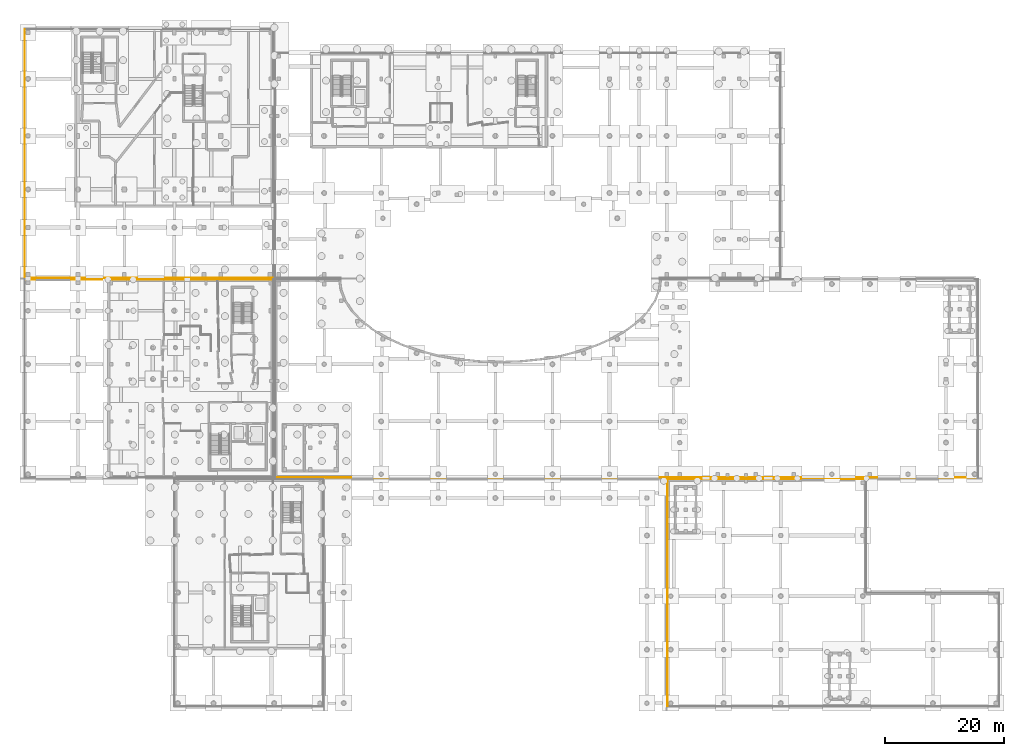
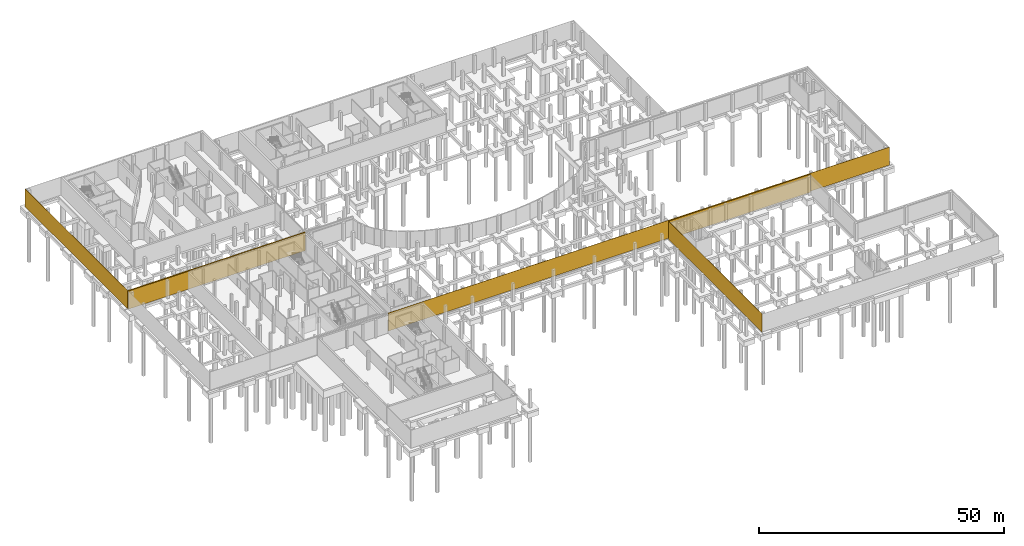
# One storey, part 31 of 40: 6 coverings.
"""IFC4 building model written with IfcOpenShell, lengths in metres."""

from ifc_helpers import new_model, si_unit, direction, frame, origin, origin_2d, place, context, subcontext, project, spatial, rectangle, extrude, material, layer, layer_set, type_object, element, save


model = new_model("IFC4")

# Units and contexts
model_context = context("Model", 3, precision=1e-05, world=origin(), true_north=direction((0.0, 1.0)))
body_context = subcontext(model_context, "Body", "Model", "MODEL_VIEW")
ifc_project = project(units=[si_unit("LENGTHUNIT", "METRE"), si_unit("AREAUNIT", "SQUARE_METRE"), si_unit("VOLUMEUNIT", "CUBIC_METRE"), si_unit("PLANEANGLEUNIT", "RADIAN"), si_unit("MASSUNIT", "GRAM", prefix="KILO")], contexts=[model_context])

# Site, building, storey
site_placement = place(None, origin())
site = spatial("IfcSite", under=ifc_project, at=site_placement, CompositionType="ELEMENT")
building_placement = place(site_placement, origin())
building = spatial("IfcBuilding", under=site, at=building_placement, Name="Mzevani Central Library", CompositionType="ELEMENT")
storey_placement = place(building_placement, frame((0.0, 0.0, -4.5)))
storey = spatial("IfcBuildingStorey", under=building, at=storey_placement, Name="B1", CompositionType="ELEMENT", Elevation=-4.5)

# Coverings
ifc_material = material(Name="Limestone ashlar cladding", Category="masonry")
ifc_layer = layer(ifc_material, 0.050048828125, Name="Limestone Ashlar Spandrel Cladding")
ifc_layer_set = layer_set([ifc_layer], Name="Limestone ashlar cladding")
covering_type = type_object("IfcCoveringType", Name="Limestone Ashlar Spandrel Cladding", PredefinedType="CLADDING", material=ifc_layer_set)
covering_1_placement = place(storey_placement, frame((105.25, 42.5400390625, 0.0), z_axis=(0.0, 0.0, 1.0), x_axis=(-1.0, 0.0, 0.0)))
element("IfcCovering", 1, at=covering_1_placement, inside=storey, type_object=covering_type, Name="B1 V1 Perimeter Plinth Cladding (2)", PredefinedType="CLADDING", context=body_context, shape_type="SweptSolid", body=[
    extrude(rectangle(XDim=118.219970703125, YDim=0.06005859375, at=origin_2d()), origin(), (0.0, 0.0, 1.0), 4.5),
])
for number, where, z_axis, x_axis, name in (
    (2, (24.949951171875, 76.139892578125, 0.0), (0.0, 0.0, 1.0), (-1.0, 0.0, 0.0), "B1 V2 Perimeter Plinth Cladding (35)"),
    (3, (4.0400390625, 97.050048828125, 0.0), (0.0, 0.0, 1.0), (0.0, 1.0, 0.0), "B1 V2 Perimeter Plinth Cladding (36)"),
    (4, (24.949951171875, 75.860107421875, 0.0), (0.0, 0.0, 1.0), (1.0, 0.0, 0.0), "B1 V5 Perimeter Plinth Cladding (62)"),
):
    element("IfcCovering", number, at=place(storey_placement, frame(where, z_axis=z_axis, x_axis=x_axis)), inside=storey, type_object=covering_type, Name=name, PredefinedType="CLADDING", context=body_context, shape_type="SweptSolid", body=[
        extrude(rectangle(XDim=41.820068359375, YDim=0.06005859375, at=origin_2d()), origin(), (0.0, 0.0, 1.0), 4.5),
    ])
covering_2_placement = place(storey_placement, frame((112.139892578125, 23.14990234375, 0.0), z_axis=(0.0, 0.0, 1.0), x_axis=(0.0, 1.0, 0.0)))
element("IfcCovering", 5, at=covering_2_placement, inside=storey, type_object=covering_type, Name="B1 V6 Perimeter Plinth Cladding (70)", PredefinedType="CLADDING", context=body_context, shape_type="SweptSolid", body=[
    extrude(rectangle(XDim=38.219970703125, YDim=0.06005859375, at=origin_2d()), origin(), (0.0, 0.0, 1.0), 4.5),
])
covering_3_placement = place(storey_placement, frame((128.85009765625, 42.260009765625, 0.0), z_axis=(0.0, 0.0, 1.0), x_axis=(1.0, 0.0, 0.0)))
element("IfcCovering", 6, at=covering_3_placement, inside=storey, type_object=covering_type, Name="B1 V6 Perimeter Plinth Cladding (71)", PredefinedType="CLADDING", context=body_context, shape_type="SweptSolid", body=[
    extrude(rectangle(XDim=33.419921875, YDim=0.06005859375, at=origin_2d()), origin(), (0.0, 0.0, 1.0), 4.5),
])

save(model, "model.ifc")
